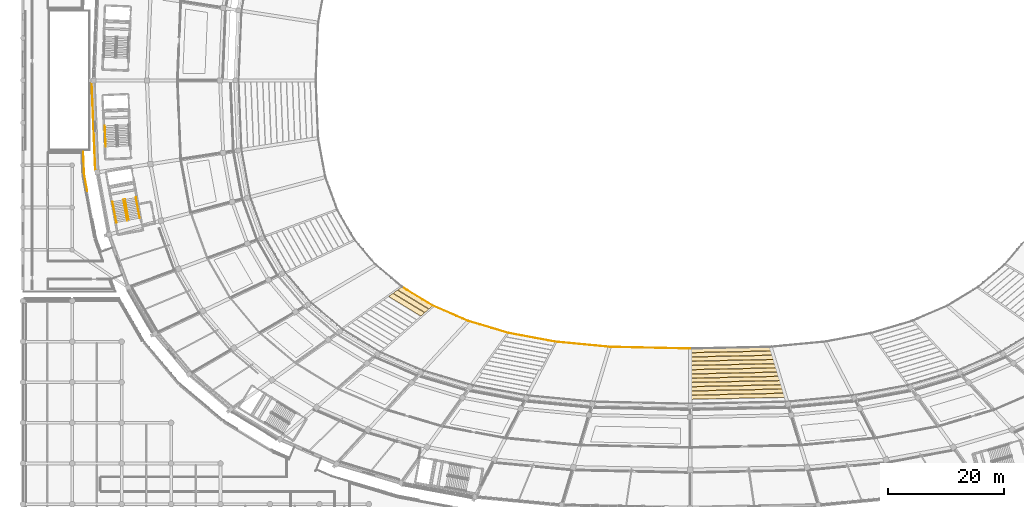
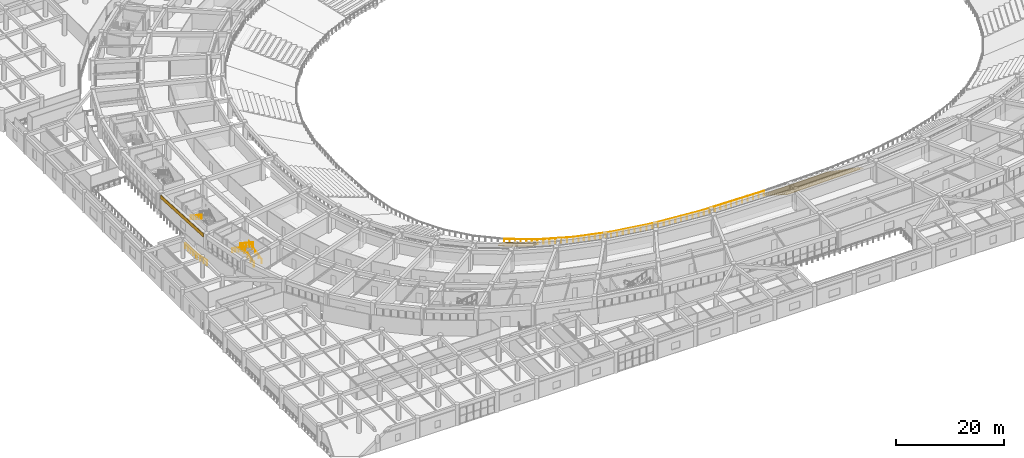
# One storey, part 127 of 152: 16 coverings, 7 railings.
"""IFC4 building model written with IfcOpenShell, lengths in metres."""

from ifc_helpers import new_model, si_unit, direction, frame, origin, origin_2d, place, context, subcontext, project, spatial, polyline, rectangle, circle, outline, extrude, material, layer, layer_set, type_object, element, save


model = new_model("IFC4")

# Units and contexts
model_context = context("Model", 3, precision=1e-05, world=origin(), true_north=direction((0.0, 1.0)))
body_context = subcontext(model_context, "Body", "Model", "MODEL_VIEW")
ifc_project = project(units=[si_unit("LENGTHUNIT", "METRE"), si_unit("AREAUNIT", "SQUARE_METRE"), si_unit("VOLUMEUNIT", "CUBIC_METRE"), si_unit("PLANEANGLEUNIT", "RADIAN"), si_unit("MASSUNIT", "GRAM", prefix="KILO")], contexts=[model_context])

# Site, building, storey
site_placement = place(None, origin())
site = spatial("IfcSite", under=ifc_project, at=site_placement, CompositionType="ELEMENT")
building_placement = place(site_placement, origin())
building = spatial("IfcBuilding", under=site, at=building_placement, Name="Mphavela Belvedere Stadium", CompositionType="ELEMENT")
storey_placement = place(building_placement, frame((0.0, 0.0, 5.39990234375)))
storey = spatial("IfcBuildingStorey", under=building, at=storey_placement, Name="L01", CompositionType="ELEMENT", Elevation=5.39990234375)

# Coverings
ifc_material_1 = material(Name="Carved classical limestone entablature frieze cladding", Category="masonry")
ifc_layer_1 = layer(ifc_material_1, 0.06005859375)
ifc_layer_set_1 = layer_set([ifc_layer_1], Name="Carved classical limestone entablature frieze cladding")
covering_type_1 = type_object("IfcCoveringType", Name="COV-FRIEZE-CLAD", PredefinedType="CLADDING", material=ifc_layer_set_1)
covering_1_placement = place(storey_placement, frame((12.192626953125, 79.064208984375, 3.594970703125), z_axis=(0.0, 0.0, 1.0), x_axis=(0.041875653729, -0.999122830099, 0.0)))
element("IfcCovering", 1, at=covering_1_placement, inside=storey, type_object=covering_type_1, Name="Classical entablature frieze cladding L01-25", PredefinedType="CLADDING", context=body_context, shape_type="SweptSolid", body=[
    extrude(rectangle(XDim=14.9130859375, YDim=0.06005859375, at=origin_2d()), origin(), (0.0, 0.0, 1.0), 0.85009765625),
])
ifc_material_2 = material(Name="Precast seating row terrazzo finish", Category="concrete")
ifc_layer_2 = layer(ifc_material_2, 0.1201171875)
ifc_layer_set_2 = layer_set([ifc_layer_2], Name="Precast seating row terrazzo finish")
covering_type_2 = type_object("IfcCoveringType", Name="COV-SEAT-ROW-L", PredefinedType="FLOORING", material=ifc_layer_set_2)
covering_2_placement = place(storey_placement, frame((0.0, 0.0, -3.75830078125)))
element("IfcCovering", 2, at=covering_2_placement, inside=storey, type_object=covering_type_2, Name="Lower stand seating row bench B31-R01", PredefinedType="FLOORING", context=body_context, shape_type="SweptSolid", body=[
    extrude(outline(polyline([(65.341064453125, 51.419677734375), (70.648193359375, 48.19091796875), (70.00146484375, 47.625244140625), (64.6171875, 50.90087890625), (65.341064453125, 51.419677734375)])), origin(), (0.0, 0.0, 1.0), 0.119873046875),
])
covering_3_placement = place(storey_placement, frame((0.0, 0.0, -3.296875)))
element("IfcCovering", 3, at=covering_3_placement, inside=storey, type_object=covering_type_2, Name="Lower stand seating row bench B31-R02", PredefinedType="FLOORING", context=body_context, shape_type="SweptSolid", body=[
    extrude(outline(polyline([(64.55419921875, 50.855712890625), (69.9453125, 47.575927734375), (69.298583984375, 47.01025390625), (63.830078125, 50.337158203125), (64.55419921875, 50.855712890625)])), origin(), (0.0, 0.0, 1.0), 0.1201171875),
])
covering_4_placement = place(storey_placement, frame((0.0, 0.0, -2.835205078125)))
element("IfcCovering", 4, at=covering_4_placement, inside=storey, type_object=covering_type_2, Name="Lower stand seating row bench B31-R03", PredefinedType="FLOORING", context=body_context, shape_type="SweptSolid", body=[
    extrude(outline(polyline([(63.76708984375, 50.2919921875), (69.242431640625, 46.9609375), (68.595703125, 46.395263671875), (63.043212890625, 49.773193359375), (63.76708984375, 50.2919921875)])), origin(), (0.0, 0.0, 1.0), 0.119873046875),
])
covering_5_placement = place(storey_placement, frame((0.0, 0.0, -3.75830078125)))
element("IfcCovering", 5, at=covering_5_placement, inside=storey, type_object=covering_type_2, Name="Lower stand seating row bench B37-R01", PredefinedType="FLOORING", context=body_context, shape_type="SweptSolid", body=[
    extrude(outline(polyline([(115.0, 40.782470703125), (128.873779296875, 41.081298828125), (129.076171875, 40.411865234375), (115.0, 40.108642578125), (115.0, 40.782470703125)])), origin(), (0.0, 0.0, 1.0), 0.119873046875),
])
covering_6_placement = place(storey_placement, frame((0.0, 0.0, -3.296875)))
element("IfcCovering", 6, at=covering_6_placement, inside=storey, type_object=covering_type_2, Name="Lower stand seating row bench B37-R02", PredefinedType="FLOORING", context=body_context, shape_type="SweptSolid", body=[
    extrude(outline(polyline([(115.0, 40.050048828125), (129.09375, 40.353515625), (129.2958984375, 39.68408203125), (115.0, 39.376220703125), (115.0, 40.050048828125)])), origin(), (0.0, 0.0, 1.0), 0.1201171875),
])
covering_7_placement = place(storey_placement, frame((0.0, 0.0, -2.835205078125)))
element("IfcCovering", 7, at=covering_7_placement, inside=storey, type_object=covering_type_2, Name="Lower stand seating row bench B37-R03", PredefinedType="FLOORING", context=body_context, shape_type="SweptSolid", body=[
    extrude(outline(polyline([(115.0, 39.317626953125), (129.3134765625, 39.625732421875), (129.515869140625, 38.956298828125), (115.0, 38.643798828125), (115.0, 39.317626953125)])), origin(), (0.0, 0.0, 1.0), 0.119873046875),
])
covering_8_placement = place(storey_placement, frame((0.0, 0.0, -2.373779296875)))
element("IfcCovering", 8, at=covering_8_placement, inside=storey, type_object=covering_type_2, Name="Lower stand seating row bench B37-R04", PredefinedType="FLOORING", context=body_context, shape_type="SweptSolid", body=[
    extrude(outline(polyline([(115.0, 38.585205078125), (129.533447265625, 38.898193359375), (129.735595703125, 38.228759765625), (115.0, 37.911376953125), (115.0, 38.585205078125)])), origin(), (0.0, 0.0, 1.0), 0.1201171875),
])
covering_9_placement = place(storey_placement, frame((0.0, 0.0, -1.912109375)))
element("IfcCovering", 9, at=covering_9_placement, inside=storey, type_object=covering_type_2, Name="Lower stand seating row bench B37-R05", PredefinedType="FLOORING", context=body_context, shape_type="SweptSolid", body=[
    extrude(outline(polyline([(115.0, 37.852783203125), (129.753173828125, 38.17041015625), (129.95556640625, 37.5009765625), (115.0, 37.178955078125), (115.0, 37.852783203125)])), origin(), (0.0, 0.0, 1.0), 0.119873046875),
])
covering_10_placement = place(storey_placement, frame((0.0, 0.0, -1.45068359375)))
element("IfcCovering", 10, at=covering_10_placement, inside=storey, type_object=covering_type_2, Name="Lower stand seating row bench B37-R06", PredefinedType="FLOORING", context=body_context, shape_type="SweptSolid", body=[
    extrude(outline(polyline([(115.0, 37.120361328125), (129.97314453125, 37.44287109375), (130.17529296875, 36.773193359375), (115.0, 36.446533203125), (115.0, 37.120361328125)])), origin(), (0.0, 0.0, 1.0), 0.119873046875),
])
covering_11_placement = place(storey_placement, frame((0.0, 0.0, -0.989013671875)))
element("IfcCovering", 11, at=covering_11_placement, inside=storey, type_object=covering_type_2, Name="Lower stand seating row bench B37-R07", PredefinedType="FLOORING", context=body_context, shape_type="SweptSolid", body=[
    extrude(outline(polyline([(115.0, 36.387939453125), (130.193115234375, 36.715087890625), (130.395263671875, 36.045654296875), (115.0, 35.714111328125), (115.0, 36.387939453125)])), origin(), (0.0, 0.0, 1.0), 0.119873046875),
])
covering_12_placement = place(storey_placement, frame((0.0, 0.0, -0.527587890625)))
element("IfcCovering", 12, at=covering_12_placement, inside=storey, type_object=covering_type_2, Name="Lower stand seating row bench B37-R08", PredefinedType="FLOORING", context=body_context, shape_type="SweptSolid", body=[
    extrude(outline(polyline([(115.0, 35.655517578125), (130.412841796875, 35.9873046875), (130.614990234375, 35.31787109375), (115.0, 34.981689453125), (115.0, 35.655517578125)])), origin(), (0.0, 0.0, 1.0), 0.119873046875),
])
covering_13_placement = place(storey_placement, frame((0.0, 0.0, -0.066162109375)))
element("IfcCovering", 13, at=covering_13_placement, inside=storey, type_object=covering_type_2, Name="Lower stand seating row bench B37-R09", PredefinedType="FLOORING", context=body_context, shape_type="SweptSolid", body=[
    extrude(outline(polyline([(115.0, 34.923095703125), (130.6328125, 35.259765625), (130.8349609375, 34.590087890625), (115.0, 34.249267578125), (115.0, 34.923095703125)])), origin(), (0.0, 0.0, 1.0), 0.1201171875),
])
covering_14_placement = place(storey_placement, frame((0.0, 0.0, 0.3955078125)))
element("IfcCovering", 14, at=covering_14_placement, inside=storey, type_object=covering_type_2, Name="Lower stand seating row bench B37-R10", PredefinedType="FLOORING", context=body_context, shape_type="SweptSolid", body=[
    extrude(outline(polyline([(115.0, 34.190673828125), (130.8525390625, 34.531982421875), (131.0546875, 33.862548828125), (115.0, 33.516845703125), (115.0, 34.190673828125)])), origin(), (0.0, 0.0, 1.0), 0.119873046875),
])
covering_15_placement = place(storey_placement, frame((0.0, 0.0, 0.85693359375)))
element("IfcCovering", 15, at=covering_15_placement, inside=storey, type_object=covering_type_2, Name="Lower stand seating row bench B37-R11", PredefinedType="FLOORING", context=body_context, shape_type="SweptSolid", body=[
    extrude(outline(polyline([(115.0, 33.458251953125), (131.072509765625, 33.80419921875), (131.274658203125, 33.135009765625), (115.0, 32.784423828125), (115.0, 33.458251953125)])), origin(), (0.0, 0.0, 1.0), 0.1201171875),
])
covering_16_placement = place(storey_placement, frame((0.0, 0.0, 1.318603515625)))
element("IfcCovering", 16, at=covering_16_placement, inside=storey, type_object=covering_type_2, Name="Lower stand seating row bench B37-R12", PredefinedType="FLOORING", context=body_context, shape_type="SweptSolid", body=[
    extrude(outline(polyline([(115.0, 32.725830078125), (131.292236328125, 33.07666015625), (131.49462890625, 32.4072265625), (115.0, 32.052001953125), (115.0, 32.725830078125)])), origin(), (0.0, 0.0, 1.0), 0.119873046875),
])

# Railings
ifc_material_3 = material(Name="Bronze and laminated glass stadium balustrade", Category="glass")
railing_type_1 = type_object("IfcRailingType", Name="RAL-BALUSTRADE-1120", PredefinedType="BALUSTRADE", material=ifc_material_3)
railing_1_placement = place(storey_placement, frame((65.341064453125, 51.419677734375, -4.099853515625)))
element("IfcRailing", 17, at=railing_1_placement, inside=storey, type_object=railing_type_1, Name="Bowl safety balustrade t1_front S6", PredefinedType="BALUSTRADE", context=body_context, shape_type="SweptSolid", body=[
    extrude(circle(Radius=0.02392578125, at=origin_2d()), frame((0.0, 0.0, 1.09619140625), z_axis=(0.854317681937, -0.519751188868, 0.0), x_axis=(0.519751188868, 0.854317681937, 0.0)), (0.0, 0.0, 1.0), 6.212158203125),
    extrude(circle(Radius=0.02392578125, at=origin_2d()), frame((5.30712890625, -3.228759765625, 1.09619140625), z_axis=(0.917505783131, -0.397722438293, 0.0), x_axis=(0.397722438293, 0.917505783131, 0.0)), (0.0, 0.0, 1.0), 6.672607421875),
    extrude(circle(Radius=0.02392578125, at=origin_2d()), frame((11.42919921875, -5.882568359375, 1.09619140625), z_axis=(0.958662145349, -0.284546817018, 0.0), x_axis=(0.284546817018, 0.958662145349, 0.0)), (0.0, 0.0, 1.0), 7.287841796875),
    extrude(circle(Radius=0.02392578125, at=origin_2d()), frame((18.415771484375, -7.956298828125, 1.09619140625), z_axis=(0.983092319169, -0.183110600433, 0.0), x_axis=(0.183110600433, 0.983092319169, 0.0)), (0.0, 0.0, 1.0), 8.12255859375),
    extrude(circle(Radius=0.02392578125, at=origin_2d()), frame((26.40087890625, -9.443603515625, 1.09619140625), z_axis=(0.995485107266, -0.094917865605, 0.0), x_axis=(0.094917865605, 0.995485107266, 0.0)), (0.0, 0.0, 1.0), 9.4267578125),
    extrude(circle(Radius=0.02392578125, at=origin_2d()), frame((35.78515625, -10.33837890625, 1.09619140625), z_axis=(0.99976811519, -0.021534062558, 0.0), x_axis=(0.021534062558, 0.99976811519, 0.0)), (0.0, 0.0, 1.0), 13.876953125),
    extrude(circle(Radius=0.02099609375, at=origin_2d()), origin(), (0.0, 0.0, 1.0), 1.072021484375),
    extrude(circle(Radius=0.02099609375, at=origin_2d()), frame((0.884521484375, -0.5380859375, 0.0)), (0.0, 0.0, 1.0), 1.072021484375),
    extrude(circle(Radius=0.02099609375, at=origin_2d()), frame((1.76904296875, -1.076171875, 0.0)), (0.0, 0.0, 1.0), 1.072021484375),
    extrude(circle(Radius=0.02099609375, at=origin_2d()), frame((2.653564453125, -1.6142578125, 0.0)), (0.0, 0.0, 1.0), 1.072021484375),
    extrude(circle(Radius=0.02099609375, at=origin_2d()), frame((3.5380859375, -2.152587890625, 0.0)), (0.0, 0.0, 1.0), 1.072021484375),
    extrude(circle(Radius=0.02099609375, at=origin_2d()), frame((4.422607421875, -2.690673828125, 0.0)), (0.0, 0.0, 1.0), 1.072021484375),
    extrude(circle(Radius=0.02099609375, at=origin_2d()), frame((5.30712890625, -3.228759765625, 0.0)), (0.0, 0.0, 1.0), 1.072021484375),
    extrude(circle(Radius=0.02099609375, at=origin_2d()), frame((6.327392578125, -3.671142578125, 0.0)), (0.0, 0.0, 1.0), 1.072021484375),
    extrude(circle(Radius=0.02099609375, at=origin_2d()), frame((7.347900390625, -4.11328125, 0.0)), (0.0, 0.0, 1.0), 1.072021484375),
    extrude(circle(Radius=0.02099609375, at=origin_2d()), frame((8.3681640625, -4.5556640625, 0.0)), (0.0, 0.0, 1.0), 1.072021484375),
    extrude(circle(Radius=0.02099609375, at=origin_2d()), frame((9.388427734375, -4.998046875, 0.0)), (0.0, 0.0, 1.0), 1.072021484375),
    extrude(circle(Radius=0.02099609375, at=origin_2d()), frame((10.408935546875, -5.440185546875, 0.0)), (0.0, 0.0, 1.0), 1.072021484375),
    extrude(circle(Radius=0.02099609375, at=origin_2d()), frame((11.42919921875, -5.882568359375, 0.0)), (0.0, 0.0, 1.0), 1.072021484375),
    extrude(circle(Radius=0.02099609375, at=origin_2d()), frame((12.42724609375, -6.1787109375, 0.0)), (0.0, 0.0, 1.0), 1.072021484375),
    extrude(circle(Radius=0.02099609375, at=origin_2d()), frame((13.42529296875, -6.47509765625, 0.0)), (0.0, 0.0, 1.0), 1.072021484375),
    extrude(circle(Radius=0.02099609375, at=origin_2d()), frame((14.42333984375, -6.771240234375, 0.0)), (0.0, 0.0, 1.0), 1.072021484375),
    extrude(circle(Radius=0.02099609375, at=origin_2d()), frame((15.421630859375, -7.067626953125, 0.0)), (0.0, 0.0, 1.0), 1.072021484375),
    extrude(circle(Radius=0.02099609375, at=origin_2d()), frame((16.419677734375, -7.36376953125, 0.0)), (0.0, 0.0, 1.0), 1.072021484375),
    extrude(circle(Radius=0.02099609375, at=origin_2d()), frame((17.417724609375, -7.66015625, 0.0)), (0.0, 0.0, 1.0), 1.072021484375),
    extrude(circle(Radius=0.02099609375, at=origin_2d()), frame((18.415771484375, -7.956298828125, 0.0)), (0.0, 0.0, 1.0), 1.072021484375),
    extrude(circle(Radius=0.02099609375, at=origin_2d()), frame((19.556396484375, -8.168701171875, 0.0)), (0.0, 0.0, 1.0), 1.072021484375),
    extrude(circle(Radius=0.02099609375, at=origin_2d()), frame((20.697265625, -8.38134765625, 0.0)), (0.0, 0.0, 1.0), 1.072021484375),
    extrude(circle(Radius=0.02099609375, at=origin_2d()), frame((21.837890625, -8.59375, 0.0)), (0.0, 0.0, 1.0), 1.072021484375),
    extrude(circle(Radius=0.02099609375, at=origin_2d()), frame((22.978759765625, -8.80615234375, 0.0)), (0.0, 0.0, 1.0), 1.072021484375),
    extrude(circle(Radius=0.02099609375, at=origin_2d()), frame((24.119384765625, -9.0185546875, 0.0)), (0.0, 0.0, 1.0), 1.072021484375),
    extrude(circle(Radius=0.02099609375, at=origin_2d()), frame((25.26025390625, -9.231201171875, 0.0)), (0.0, 0.0, 1.0), 1.072021484375),
    extrude(circle(Radius=0.02099609375, at=origin_2d()), frame((26.40087890625, -9.443603515625, 0.0)), (0.0, 0.0, 1.0), 1.072021484375),
    extrude(circle(Radius=0.02099609375, at=origin_2d()), frame((27.573974609375, -9.555419921875, 0.0)), (0.0, 0.0, 1.0), 1.072021484375),
    extrude(circle(Radius=0.02099609375, at=origin_2d()), frame((28.7470703125, -9.667236328125, 0.0)), (0.0, 0.0, 1.0), 1.072021484375),
    extrude(circle(Radius=0.02099609375, at=origin_2d()), frame((29.919921875, -9.779052734375, 0.0)), (0.0, 0.0, 1.0), 1.072021484375),
    extrude(circle(Radius=0.02099609375, at=origin_2d()), frame((31.093017578125, -9.89111328125, 0.0)), (0.0, 0.0, 1.0), 1.072021484375),
    extrude(circle(Radius=0.02099609375, at=origin_2d()), frame((32.26611328125, -10.0029296875, 0.0)), (0.0, 0.0, 1.0), 1.072021484375),
    extrude(circle(Radius=0.02099609375, at=origin_2d()), frame((33.43896484375, -10.11474609375, 0.0)), (0.0, 0.0, 1.0), 1.072021484375),
    extrude(circle(Radius=0.02099609375, at=origin_2d()), frame((34.612060546875, -10.2265625, 0.0)), (0.0, 0.0, 1.0), 1.072021484375),
    extrude(circle(Radius=0.02099609375, at=origin_2d()), frame((35.78515625, -10.33837890625, 0.0)), (0.0, 0.0, 1.0), 1.072021484375),
    extrude(circle(Radius=0.02099609375, at=origin_2d()), frame((36.94140625, -10.36328125, 0.0)), (0.0, 0.0, 1.0), 1.072021484375),
    extrude(circle(Radius=0.02099609375, at=origin_2d()), frame((38.097412109375, -10.38818359375, 0.0)), (0.0, 0.0, 1.0), 1.072021484375),
    extrude(circle(Radius=0.02099609375, at=origin_2d()), frame((39.253662109375, -10.4130859375, 0.0)), (0.0, 0.0, 1.0), 1.072021484375),
    extrude(circle(Radius=0.02099609375, at=origin_2d()), frame((40.40966796875, -10.43798828125, 0.0)), (0.0, 0.0, 1.0), 1.072021484375),
    extrude(circle(Radius=0.02099609375, at=origin_2d()), frame((41.56591796875, -10.462890625, 0.0)), (0.0, 0.0, 1.0), 1.072021484375),
    extrude(circle(Radius=0.02099609375, at=origin_2d()), frame((42.72216796875, -10.48779296875, 0.0)), (0.0, 0.0, 1.0), 1.072021484375),
    extrude(circle(Radius=0.02099609375, at=origin_2d()), frame((43.878173828125, -10.5126953125, 0.0)), (0.0, 0.0, 1.0), 1.072021484375),
    extrude(circle(Radius=0.02099609375, at=origin_2d()), frame((45.034423828125, -10.53759765625, 0.0)), (0.0, 0.0, 1.0), 1.072021484375),
    extrude(circle(Radius=0.02099609375, at=origin_2d()), frame((46.1904296875, -10.5625, 0.0)), (0.0, 0.0, 1.0), 1.072021484375),
    extrude(circle(Radius=0.02099609375, at=origin_2d()), frame((47.3466796875, -10.58740234375, 0.0)), (0.0, 0.0, 1.0), 1.072021484375),
    extrude(circle(Radius=0.02099609375, at=origin_2d()), frame((48.502685546875, -10.6123046875, 0.0)), (0.0, 0.0, 1.0), 1.072021484375),
    extrude(circle(Radius=0.02099609375, at=origin_2d()), frame((49.658935546875, -10.63720703125, 0.0)), (0.0, 0.0, 1.0), 1.072021484375),
])
railing_2_placement = place(storey_placement, frame((10.4130859375, 74.719970703125, 0.0)))
element("IfcRailing", 18, at=railing_2_placement, inside=storey, type_object=railing_type_1, Name="Peristyle wing gallery edge balustrade L01-56", PredefinedType="BALUSTRADE", context=body_context, shape_type="SweptSolid", body=[
    extrude(circle(Radius=0.02392578125, at=origin_2d()), frame((0.0, 0.0, 1.09619140625), z_axis=(0.041915584211, -0.999121155716, 0.0), x_axis=(0.999121155716, 0.041915584211, 0.0)), (0.0, 0.0, 1.0), 3.66943359375),
    extrude(circle(Radius=0.02392578125, at=origin_2d()), frame((0.15380859375, -3.666259765625, 1.09619140625), z_axis=(0.113134174083, -0.993579719325, 0.0), x_axis=(0.993579719325, 0.113134174083, 0.0)), (0.0, 0.0, 1.0), 0.317138671875),
    extrude(circle(Radius=0.02392578125, at=origin_2d()), frame((0.189697265625, -3.9814453125, 1.09619140625), z_axis=(0.182689544832, -0.983170651621, 0.0), x_axis=(0.983170651621, 0.182689544832, 0.0)), (0.0, 0.0, 1.0), 2.83984375),
    extrude(circle(Radius=0.02099609375, at=origin_2d()), origin(), (0.0, 0.0, 1.0), 1.072021484375),
    extrude(circle(Radius=0.02099609375, at=origin_2d()), frame((0.03857421875, -0.91650390625, 0.0)), (0.0, 0.0, 1.0), 1.072021484375),
    extrude(circle(Radius=0.02099609375, at=origin_2d()), frame((0.076904296875, -1.8330078125, 0.0)), (0.0, 0.0, 1.0), 1.072021484375),
    extrude(circle(Radius=0.02099609375, at=origin_2d()), frame((0.115234375, -2.749755859375, 0.0)), (0.0, 0.0, 1.0), 1.072021484375),
    extrude(circle(Radius=0.02099609375, at=origin_2d()), frame((0.15380859375, -3.666259765625, 0.0)), (0.0, 0.0, 1.0), 1.072021484375),
    extrude(circle(Radius=0.02099609375, at=origin_2d()), frame((0.189697265625, -3.9814453125, 0.0)), (0.0, 0.0, 1.0), 1.072021484375),
    extrude(circle(Radius=0.02099609375, at=origin_2d()), frame((0.362548828125, -4.912109375, 0.0)), (0.0, 0.0, 1.0), 1.072021484375),
    extrude(circle(Radius=0.02099609375, at=origin_2d()), frame((0.53564453125, -5.8427734375, 0.0)), (0.0, 0.0, 1.0), 1.072021484375),
    extrude(circle(Radius=0.02099609375, at=origin_2d()), frame((0.70849609375, -6.7734375, 0.0)), (0.0, 0.0, 1.0), 1.072021484375),
])
ifc_material_4 = material(Name="Painted galvanised steel stair guardrail", Category="steel")
railing_type_2 = type_object("IfcRailingType", Name="RAL-GUARD-1120", PredefinedType="GUARDRAIL", material=ifc_material_4)
railing_3_placement = place(storey_placement, frame((18.27001953125, 62.91162109375, 0.184814453125)))
element("IfcRailing", 19, at=railing_3_placement, inside=storey, type_object=railing_type_2, Name="L01 ST-C09 stair guard 1", PredefinedType="GUARDRAIL", context=body_context, shape_type="SweptSolid", body=[
    extrude(circle(Radius=0.02392578125, at=origin_2d()), frame((0.0, 0.0, 1.09619140625), z_axis=(-0.155827288653, 0.838857783326, 0.521570201857), x_axis=(-0.983180441881, -0.182636849249, 0.0)), (0.0, 0.0, 1.0), 4.247314453125),
    extrude(circle(Radius=0.02099609375, at=origin_2d()), origin(), (0.0, 0.0, 1.0), 1.072021484375),
    extrude(circle(Radius=0.02099609375, at=origin_2d()), frame((-0.16552734375, 0.890625, 0.5537109375)), (0.0, 0.0, 1.0), 1.072021484375),
    extrude(circle(Radius=0.02099609375, at=origin_2d()), frame((-0.3310546875, 1.781494140625, 1.107666015625)), (0.0, 0.0, 1.0), 1.072021484375),
    extrude(circle(Radius=0.02099609375, at=origin_2d()), frame((-0.496337890625, 2.67236328125, 1.66162109375)), (0.0, 0.0, 1.0), 1.072021484375),
    extrude(circle(Radius=0.02099609375, at=origin_2d()), frame((-0.661865234375, 3.56298828125, 2.21533203125)), (0.0, 0.0, 1.0), 1.072021484375),
])
railing_4_placement = place(storey_placement, frame((17.362548828125, 66.428955078125, 2.584716796875)))
element("IfcRailing", 20, at=railing_4_placement, inside=storey, type_object=railing_type_2, Name="L01 ST-C09 stair guard 3", PredefinedType="GUARDRAIL", context=body_context, shape_type="SweptSolid", body=[
    extrude(circle(Radius=0.02392578125, at=origin_2d()), frame((0.0, 0.0, 1.09619140625), z_axis=(0.155771203994, -0.838865295602, 0.521574872708), x_axis=(0.983192536952, 0.182571726404, 0.0)), (0.0, 0.0, 1.0), 4.247314453125),
    extrude(circle(Radius=0.02099609375, at=origin_2d()), origin(), (0.0, 0.0, 1.0), 1.072021484375),
    extrude(circle(Radius=0.02099609375, at=origin_2d()), frame((0.16552734375, -0.890625, 0.5537109375)), (0.0, 0.0, 1.0), 1.072021484375),
    extrude(circle(Radius=0.02099609375, at=origin_2d()), frame((0.330810546875, -1.781494140625, 1.107666015625)), (0.0, 0.0, 1.0), 1.072021484375),
    extrude(circle(Radius=0.02099609375, at=origin_2d()), frame((0.49609375, -2.67236328125, 1.66162109375)), (0.0, 0.0, 1.0), 1.072021484375),
    extrude(circle(Radius=0.02099609375, at=origin_2d()), frame((0.66162109375, -3.56298828125, 2.21533203125)), (0.0, 0.0, 1.0), 1.072021484375),
])
ifc_material_5 = material(Name="Brushed stainless steel tubular handrail", Category="steel")
railing_type_3 = type_object("IfcRailingType", Name="RAL-HANDRAIL-900", PredefinedType="HANDRAIL", material=ifc_material_5)
railing_5_placement = place(storey_placement, frame((14.147216796875, 79.17041015625, 2.584716796875)))
element("IfcRailing", 21, at=railing_5_placement, inside=storey, type_object=railing_type_3, Name="L01 ST-C08 stair handrail 2", PredefinedType="HANDRAIL", context=body_context, shape_type="SweptSolid", body=[
    extrude(circle(Radius=0.02392578125, at=origin_2d()), frame((0.0, 0.0, 0.8759765625), z_axis=(0.035694272407, -0.852466592692, 0.521561719513), x_axis=(0.99912452908, 0.041835097604, 0.0)), (0.0, 0.0, 1.0), 4.24755859375),
    extrude(circle(Radius=0.02099609375, at=origin_2d()), origin(), (0.0, 0.0, 1.0), 0.851806640625),
    extrude(circle(Radius=0.02099609375, at=origin_2d()), frame((0.037841796875, -0.9052734375, 0.5537109375)), (0.0, 0.0, 1.0), 0.851806640625),
    extrude(circle(Radius=0.02099609375, at=origin_2d()), frame((0.07568359375, -1.810546875, 1.107666015625)), (0.0, 0.0, 1.0), 0.851806640625),
    extrude(circle(Radius=0.02099609375, at=origin_2d()), frame((0.11376953125, -2.715576171875, 1.66162109375)), (0.0, 0.0, 1.0), 0.851806640625),
    extrude(circle(Radius=0.02099609375, at=origin_2d()), frame((0.151611328125, -3.620849609375, 2.21533203125)), (0.0, 0.0, 1.0), 0.851806640625),
])
railing_6_placement = place(storey_placement, frame((20.15771484375, 63.26220703125, 0.184814453125)))
element("IfcRailing", 22, at=railing_6_placement, inside=storey, type_object=railing_type_3, Name="L01 ST-C09 stair handrail 1", PredefinedType="HANDRAIL", context=body_context, shape_type="SweptSolid", body=[
    extrude(circle(Radius=0.02392578125, at=origin_2d()), frame((0.0, 0.0, 0.8759765625), z_axis=(-0.155827288653, 0.838857783326, 0.521570201857), x_axis=(-0.983180441881, -0.182636849249, 0.0)), (0.0, 0.0, 1.0), 4.247314453125),
    extrude(circle(Radius=0.02099609375, at=origin_2d()), origin(), (0.0, 0.0, 1.0), 0.851806640625),
    extrude(circle(Radius=0.02099609375, at=origin_2d()), frame((-0.16552734375, 0.890625, 0.5537109375)), (0.0, 0.0, 1.0), 0.851806640625),
    extrude(circle(Radius=0.02099609375, at=origin_2d()), frame((-0.3310546875, 1.781494140625, 1.107666015625)), (0.0, 0.0, 1.0), 0.851806640625),
    extrude(circle(Radius=0.02099609375, at=origin_2d()), frame((-0.496337890625, 2.67236328125, 1.66162109375)), (0.0, 0.0, 1.0), 0.851806640625),
    extrude(circle(Radius=0.02099609375, at=origin_2d()), frame((-0.661865234375, 3.56298828125, 2.21533203125)), (0.0, 0.0, 1.0), 0.851806640625),
])
railing_7_placement = place(storey_placement, frame((15.474609375, 66.078369140625, 2.584716796875)))
element("IfcRailing", 23, at=railing_7_placement, inside=storey, type_object=railing_type_3, Name="L01 ST-C09 stair handrail 2", PredefinedType="HANDRAIL", context=body_context, shape_type="SweptSolid", body=[
    extrude(circle(Radius=0.02392578125, at=origin_2d()), frame((0.0, 0.0, 0.8759765625), z_axis=(0.155827288653, -0.838857783326, 0.521570201857), x_axis=(0.983180441881, 0.182636849249, 0.0)), (0.0, 0.0, 1.0), 4.247314453125),
    extrude(circle(Radius=0.02099609375, at=origin_2d()), origin(), (0.0, 0.0, 1.0), 0.851806640625),
    extrude(circle(Radius=0.02099609375, at=origin_2d()), frame((0.16552734375, -0.890625, 0.5537109375)), (0.0, 0.0, 1.0), 0.851806640625),
    extrude(circle(Radius=0.02099609375, at=origin_2d()), frame((0.3310546875, -1.781494140625, 1.107666015625)), (0.0, 0.0, 1.0), 0.851806640625),
    extrude(circle(Radius=0.02099609375, at=origin_2d()), frame((0.496337890625, -2.67236328125, 1.66162109375)), (0.0, 0.0, 1.0), 0.851806640625),
    extrude(circle(Radius=0.02099609375, at=origin_2d()), frame((0.661865234375, -3.56298828125, 2.21533203125)), (0.0, 0.0, 1.0), 0.851806640625),
])

save(model, "model.ifc")
